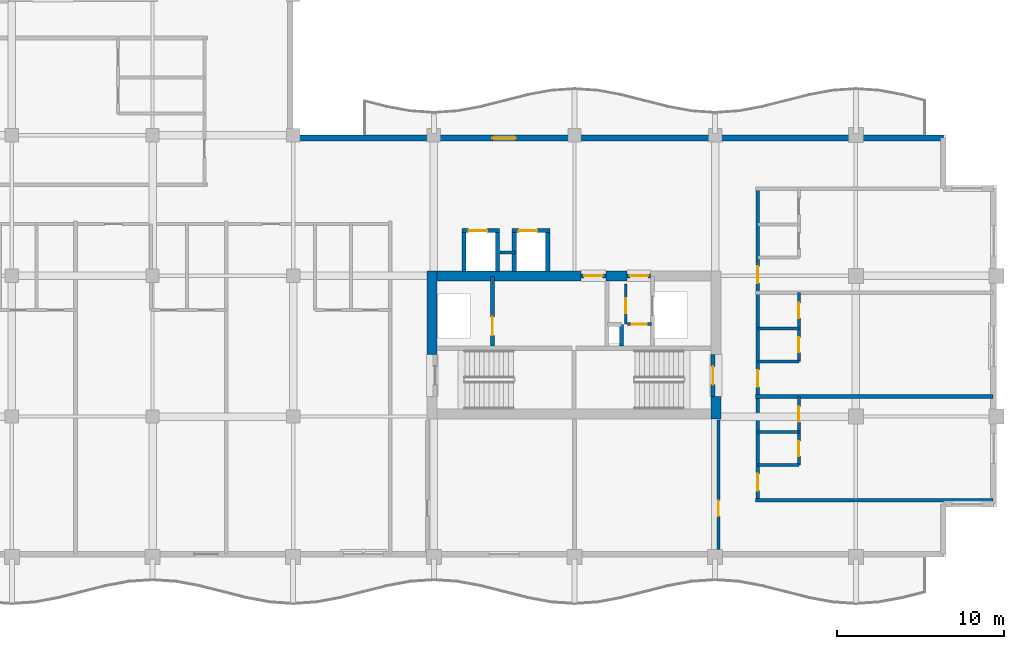
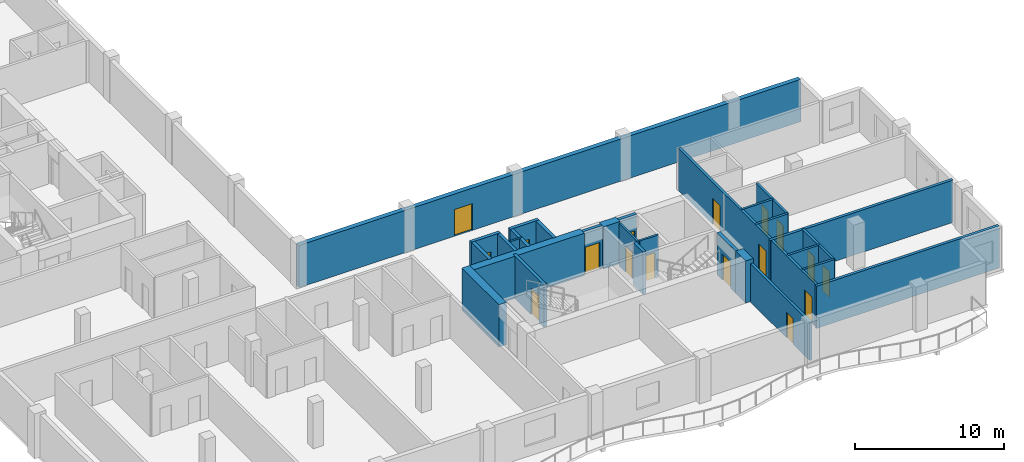
# One storey, part 7 of 17: 29 walls, 17 doors, 17 openings.
"""IFC4 building model written with IfcOpenShell, lengths in metres."""

import ifcopenshell
import ifcopenshell.guid

model = None  # the IFC model being written
_history = None  # IfcOwnerHistory: only IFC2X3 demands one
_inside = {}  # id of a spatial element -> (the spatial element, [elements in it])
_under = {}  # id of a project, library or spatial element -> (it, [spatial elements below it])
_declared = {}  # id of a project -> (the project, [libraries it declares])
_typed = {}  # id of a type object -> (the type object, [elements of that type])
_made_of = {}  # id of a material, layer set ... -> (it, [elements and type objects made of it])


def new_model(schema):
    """Start an empty IFC model of exactly this schema.

    Asked for "IFC4X3", IfcOpenShell would pick the latest addendum, in which some entities
    have other attributes; the version numbers below select the first issue.
    IFC2X3 requires an IfcOwnerHistory on every rooted entity: one is made here for all.
    """
    global model, _history
    if schema == "IFC4X3":
        model = ifcopenshell.file(schema_version=(4, 3, 0, 0))
    else:
        model = ifcopenshell.file(schema=schema)
    _inside.clear()
    _under.clear()
    _declared.clear()
    _typed.clear()
    _made_of.clear()
    _history = None
    if model.schema == "IFC2X3":
        org = make("IfcOrganization", Name="unknown")
        user = make(
            "IfcPersonAndOrganization",
            ThePerson=make("IfcPerson", FamilyName="unknown"),
            TheOrganization=org,
        )
        app = make(
            "IfcApplication",
            ApplicationDeveloper=org,
            Version="unknown",
            ApplicationFullName="unknown",
            ApplicationIdentifier="unknown",
        )
        _history = make(
            "IfcOwnerHistory",
            OwningUser=user,
            OwningApplication=app,
            ChangeAction="ADDED",
            CreationDate=0,
        )
    return model


def make(cls, **values):
    """One entity of the class cls with the attributes given. An attribute that is None is left unset."""
    return model.create_entity(
        cls, **{name: value for name, value in values.items() if value is not None}
    )


def rooted(cls, **values):
    """An entity with a GlobalId (a new one), such as an element, a storey or a relation."""
    return make(cls, GlobalId=ifcopenshell.guid.new(), OwnerHistory=_history, **values)


def si_unit(unit_type, name, prefix=None):
    """IfcSIUnit, for example si_unit("LENGTHUNIT", "METRE", prefix="MILLI")."""
    return make("IfcSIUnit", UnitType=unit_type, Prefix=prefix, Name=name)


def assignment(units):
    """IfcUnitAssignment: the units of a project."""
    return None if units is None else make("IfcUnitAssignment", Units=units)


def point(xyz):
    """IfcCartesianPoint."""
    return None if xyz is None else make("IfcCartesianPoint", Coordinates=xyz)


def direction(xyz):
    """IfcDirection."""
    return None if xyz is None else make("IfcDirection", DirectionRatios=xyz)


def frame(location, z_axis=None, x_axis=None):
    """IfcAxis2Placement3D, a coordinate frame: its origin and axes. An axis left out is left unset."""
    return make(
        "IfcAxis2Placement3D",
        Location=point(location),
        Axis=direction(z_axis),
        RefDirection=direction(x_axis),
    )


def frame_2d(location, x_axis=None):
    """IfcAxis2Placement2D, a coordinate frame in the plane: its origin and x axis."""
    return make(
        "IfcAxis2Placement2D", Location=point(location), RefDirection=direction(x_axis)
    )


def origin():
    """The frame at (0, 0, 0) with its axes left unset."""
    return frame((0.0, 0.0, 0.0))


def place(relative_to, where):
    """IfcLocalPlacement: puts the frame where relative to a parent placement (None: the world)."""
    return make(
        "IfcLocalPlacement", PlacementRelTo=relative_to, RelativePlacement=where
    )


def context(
    kind, dimensions, precision=None, world=None, true_north=None, identifier=None
):
    """IfcGeometricRepresentationContext, for example the 3D "Model" context."""
    return make(
        "IfcGeometricRepresentationContext",
        ContextIdentifier=identifier,
        ContextType=kind,
        CoordinateSpaceDimension=dimensions,
        Precision=precision,
        WorldCoordinateSystem=world,
        TrueNorth=true_north,
    )


def subcontext(parent, identifier, kind, view, scale=None):
    """IfcGeometricRepresentationSubContext, for example "Body" below "Model"."""
    return make(
        "IfcGeometricRepresentationSubContext",
        ContextIdentifier=identifier,
        ContextType=kind,
        ParentContext=parent,
        TargetScale=scale,
        TargetView=view,
    )


def project(units=None, contexts=None):
    """IfcProject with its units and contexts."""
    return rooted(
        "IfcProject",
        Name="project",
        RepresentationContexts=contexts,
        UnitsInContext=assignment(units),
    )


def spatial(cls, under=None, at=None, **own):
    """A site, building, storey or space (cls), placed at a placement, below another one or the project."""
    s = rooted(cls, ObjectPlacement=at, **own)
    if under is not None:
        _under.setdefault(under.id(), (under, []))[1].append(s)
    return s


def profile(cls, at=None, kind="AREA", **sizes):
    """A parametric profile (cls). Its sizes go by their IFC names, for example OverallWidth=200.0."""
    return make(cls, ProfileType=kind, Position=at, **sizes)


def rectangle(**sizes):
    """IfcRectangleProfileDef."""
    return profile("IfcRectangleProfileDef", **sizes)


def extrude(swept, where, along, depth):
    """IfcExtrudedAreaSolid: the profile swept, set in the frame where, extruded along a direction by depth."""
    return make(
        "IfcExtrudedAreaSolid",
        SweptArea=swept,
        Position=where,
        ExtrudedDirection=direction(along),
        Depth=depth,
    )


def shape(context_of_items, identifier, shape_type, items):
    """IfcShapeRepresentation: the items that make up one representation, for example the "Body"."""
    return make(
        "IfcShapeRepresentation",
        ContextOfItems=context_of_items,
        RepresentationIdentifier=identifier,
        RepresentationType=shape_type,
        Items=items,
    )


def material(Name=None, Category=None):
    """IfcMaterial."""
    return make("IfcMaterial", Name=Name, Category=Category)


def layer(
    of_material, thickness, ventilated=None, Name=None, Category=None, Priority=None
):
    """IfcMaterialLayer: one layer of a wall or slab, of a material (None: an air gap)."""
    return make(
        "IfcMaterialLayer",
        Material=of_material,
        LayerThickness=thickness,
        IsVentilated=ventilated,
        Name=Name,
        Category=Category,
        Priority=Priority,
    )


def layer_set(layers, Name=None):
    """IfcMaterialLayerSet."""
    return make("IfcMaterialLayerSet", MaterialLayers=layers, LayerSetName=Name)


def made_of(thing, what):
    """Note that an element or type object is made of a material, layer set ...; save() writes the relation."""
    if what is not None:
        _made_of.setdefault(what.id(), (what, []))[1].append(thing)
    return thing


def type_object(cls, material=None, **own):
    """A type object (cls), such as IfcWallType, which elements share."""
    return made_of(rooted(cls, **own), material)


def element(
    cls,
    number,
    at=None,
    inside=None,
    cuts=None,
    type_object=None,
    material=None,
    context=None,
    identifier="Body",
    shape_type=None,
    held_by="IfcProductDefinitionShape",
    body=None,
    shapes=None,
    **own,
):
    """One element of the class cls, such as IfcWall. Its Tag is "e" and its number.

    at: its placement. inside: the storey or other place that contains it. cuts: it is an
    opening in that element (IfcRelVoidsElement). A single representation is given by context,
    identifier, shape_type and body (its items); several are given by shapes. held_by: the class
    of the entity that holds the representations. save() writes the other relations.
    """
    e = rooted(cls, Tag="e%d" % number, ObjectPlacement=at, **own)
    if body is not None:
        shapes = [shape(context, identifier, shape_type, body)]
    if shapes is not None:
        e.Representation = make(held_by, Representations=shapes)
    if inside is not None:
        _inside.setdefault(inside.id(), (inside, []))[1].append(e)
    if cuts is not None:
        rooted(
            "IfcRelVoidsElement", RelatingBuildingElement=cuts, RelatedOpeningElement=e
        )
    if type_object is not None:
        _typed.setdefault(type_object.id(), (type_object, []))[1].append(e)
    return made_of(e, material)


def fill(opening, filler):
    """IfcRelFillsElement: the door or window that sits in an opening."""
    return rooted(
        "IfcRelFillsElement",
        RelatingOpeningElement=opening,
        RelatedBuildingElement=filler,
    )


def aggregate(whole, parts):
    """IfcRelAggregates: a whole, such as a stair, and the parts it consists of."""
    return rooted("IfcRelAggregates", RelatingObject=whole, RelatedObjects=parts)


def save(model, path):
    """Write the relations noted so far, then the file.

    IfcRelAggregates (storeys below a building ...), IfcRelContainedInSpatialStructure (elements
    in a storey), IfcRelDefinesByType, IfcRelAssociatesMaterial and IfcRelDeclares: one each for
    every whole, place, type object, material and project.
    """
    for whole, parts in _under.values():
        aggregate(whole, parts)
    for where, things in _inside.values():
        rooted(
            "IfcRelContainedInSpatialStructure",
            RelatedElements=things,
            RelatingStructure=where,
        )
    for kind, things in _typed.values():
        rooted("IfcRelDefinesByType", RelatedObjects=things, RelatingType=kind)
    for what, things in _made_of.values():
        rooted("IfcRelAssociatesMaterial", RelatedObjects=things, RelatingMaterial=what)
    for by, libraries in _declared.values():
        rooted("IfcRelDeclares", RelatingContext=by, RelatedDefinitions=libraries)
    model.write(path)


model = new_model("IFC4")

# Units and contexts
model_context = context("Model", 3, precision=1e-05, world=origin(), true_north=direction((0.0, 1.0)))
body_context = subcontext(model_context, "Body", "Model", "MODEL_VIEW")
ifc_project = project(units=[si_unit("LENGTHUNIT", "METRE"), si_unit("AREAUNIT", "SQUARE_METRE"), si_unit("VOLUMEUNIT", "CUBIC_METRE"), si_unit("PLANEANGLEUNIT", "RADIAN"), si_unit("MASSUNIT", "GRAM", prefix="KILO")], contexts=[model_context])

# Site, building, storey
site_placement = place(None, origin())
site = spatial("IfcSite", under=ifc_project, at=site_placement, CompositionType="ELEMENT")
building_placement = place(site_placement, origin())
building = spatial("IfcBuilding", under=site, at=building_placement, Name="Koriwani Terraces Tower", CompositionType="ELEMENT")
storey_placement = place(building_placement, frame((0.0, 0.0, 237.89990234375)))
storey = spatial("IfcBuildingStorey", under=building, at=storey_placement, Name="L58", CompositionType="ELEMENT", Elevation=237.89990234375)

# Walls
ifc_material_1 = material(Name="Concrete C60/75", Category="concrete")
ifc_layer_1 = layer(ifc_material_1, 0.60009765625, Name="Concrete C60/75")
ifc_layer_set_1 = layer_set([ifc_layer_1], Name="Concrete C60/75")
wall_type_1 = type_object("IfcWallType", Name="WALL_CORE_RC_600", PredefinedType="SHEAR", material=ifc_layer_set_1)
wall_1_placement = place(storey_placement, frame((41.89990234375, 20.5, 0.0), z_axis=(0.0, 0.0, 1.0), x_axis=(0.0, 1.0, 0.0)))
element("IfcWall", 1, at=wall_1_placement, inside=storey, type_object=wall_type_1, Name="L58 East Split Core Shear Wall W2", PredefinedType="SHEAR", context=body_context, shape_type="SweptSolid", body=[
    extrude(rectangle(XDim=5.0, YDim=0.60009765625, at=frame_2d((2.5, 0.0))), origin(), (0.0, 0.0, 1.0), 3.47021484375),
])
wall_2_placement = place(storey_placement, frame((58.85009765625, 16.64990234375, 0.0), z_axis=(0.0, 0.0, 1.0), x_axis=(0.0, 1.0, 0.0)))
element("IfcWall", 2, at=wall_2_placement, inside=storey, type_object=wall_type_1, Name="L58 East Split Core Shear Wall E1", PredefinedType="SHEAR", context=body_context, shape_type="SweptSolid", body=[
    extrude(rectangle(XDim=1.35009765625, YDim=0.60009765625, at=frame_2d((0.675048828125, 0.0))), origin(), (0.0, 0.0, 1.0), 3.47021484375),
])
wall_3_placement = place(storey_placement, frame((42.199951171875, 25.199951171875, 0.0), z_axis=(0.0, 0.0, 1.0), x_axis=(1.0, 0.0, 0.0)))
element("IfcWall", 3, at=wall_3_placement, inside=storey, type_object=wall_type_1, Name="L58 East Split Core Shear Wall N1", PredefinedType="SHEAR", context=body_context, shape_type="SweptSolid", body=[
    extrude(rectangle(XDim=8.60009765625, YDim=0.60009765625, at=frame_2d((4.300048828125, 0.0))), origin(), (0.0, 0.0, 1.0), 3.47021484375),
])
wall_4_placement = place(storey_placement, frame((52.280029296875, 25.199951171875, 0.0), z_axis=(0.0, 0.0, 1.0), x_axis=(1.0, 0.0, 0.0)))
element("IfcWall", 4, at=wall_4_placement, inside=storey, type_object=wall_type_1, Name="L58 East Split Core Shear Wall N2", PredefinedType="SHEAR", context=body_context, shape_type="SweptSolid", body=[
    extrude(rectangle(XDim=1.27001953125, YDim=0.60009765625, at=frame_2d((0.635009765625, 0.0))), origin(), (0.0, 0.0, 1.0), 3.47021484375),
])

# Wall, opening, door
ifc_material_2 = material(Name="Autoclaved Cellular Concrete Blockwork", Category="masonry")
ifc_layer_2 = layer(ifc_material_2, 0.199951171875, Name="Autoclaved Cellular Concrete Blockwork")
ifc_layer_set_2 = layer_set([ifc_layer_2], Name="Autoclaved Cellular Concrete Blockwork")
wall_type_2 = type_object("IfcWallType", Name="WALL_CORRIDOR_200", PredefinedType="PARTITIONING", material=ifc_layer_set_2)
wall_5_placement = place(storey_placement, frame((59.0, 8.64990234375, 0.0), z_axis=(0.0, 0.0, 1.0), x_axis=(0.0, 1.0, 0.0)))
wall_5 = element("IfcWall", 5, at=wall_5_placement, inside=storey, type_object=wall_type_2, Name="L58 Interior Wall WRZ4-EE-L58", PredefinedType="PARTITIONING", context=body_context, shape_type="SweptSolid", body=[
    extrude(rectangle(XDim=7.9501953125, YDim=0.199951171875, at=frame_2d((3.97509765625, 0.0))), origin(), (0.0, 0.0, 1.0), 3.16015625),
])
opening_1_placement = place(wall_5_placement, frame((2.199951171875, 0.0, 0.0)))
opening_1 = element("IfcOpeningElement", 6, at=opening_1_placement, cuts=wall_5, Name="Opening D-06", PredefinedType="OPENING", context=body_context, shape_type="SweptSolid", body=[
    extrude(rectangle(XDim=0.919921875, YDim=2.10009765625, at=frame_2d((0.4599609375, 1.050048828125))), frame((0.0, 0.10986328125, 0.0), z_axis=(0.0, -1.0, 0.0), x_axis=(1.0, 0.0, 0.0)), (0.0, 0.0, 1.0), 0.219970703125),
])
ifc_material_3 = material(Name="Architectural Oak Fire Door", Category="wood")
door_type_1 = type_object("IfcDoorType", Name="DOOR_ROOM_INT_920X2100", OperationType="NOTDEFINED", PredefinedType="DOOR", material=ifc_material_3)
door_1_placement = place(opening_1_placement, origin())
door_1 = element("IfcDoor", 7, at=door_1_placement, inside=storey, type_object=door_type_1, Name="L58 Resident Laundry Room Door", OperationType="SINGLE_SWING_LEFT", OverallHeight=2.10009765625, OverallWidth=0.919921875, PredefinedType="DOOR", context=body_context, shape_type="SweptSolid", body=[
    extrude(rectangle(XDim=0.919921875, YDim=2.10009765625, at=frame_2d((0.4599609375, 1.050048828125))), frame((0.0, 0.02490234375, 0.0), z_axis=(0.0, -1.0, 0.0), x_axis=(1.0, 0.0, 0.0)), (0.0, 0.0, 1.0), 0.050048828125),
])
fill(opening_1, door_1)

# Wall, openings, doors
wall_6_placement = place(storey_placement, frame((61.35009765625, 11.800048828125, 0.0), z_axis=(0.0, 0.0, 1.0), x_axis=(0.0, 1.0, 0.0)))
wall_6 = element("IfcWall", 8, at=wall_6_placement, inside=storey, type_object=wall_type_2, Name="L58 Interior Wall WRCOR-L58-ETE-0", PredefinedType="PARTITIONING", context=body_context, shape_type="SweptSolid", body=[
    extrude(rectangle(XDim=18.599853515625, YDim=0.199951171875, at=frame_2d((9.2998046875, 0.0))), origin(), (0.0, 0.0, 1.0), 3.47021484375),
])
opening_2_placement = place(wall_6_placement, frame((0.570068359375, 0.0, 0.0)))
opening_2 = element("IfcOpeningElement", 9, at=opening_2_placement, cuts=wall_6, Name="Opening D-05", PredefinedType="OPENING", context=body_context, shape_type="SweptSolid", body=[
    extrude(rectangle(XDim=1.0, YDim=2.14990234375, at=frame_2d((0.5, 1.074951171875))), frame((0.0, 0.10986328125, 0.0), z_axis=(0.0, -1.0, 0.0), x_axis=(1.0, 0.0, 0.0)), (0.0, 0.0, 1.0), 0.219970703125),
])
opening_3_placement = place(wall_6_placement, frame((6.77001953125, 0.0, 0.0)))
opening_3 = element("IfcOpeningElement", 10, at=opening_3_placement, cuts=wall_6, Name="Opening D-05", PredefinedType="OPENING", context=body_context, shape_type="SweptSolid", body=[
    extrude(rectangle(XDim=1.0, YDim=2.14990234375, at=frame_2d((0.5, 1.074951171875))), frame((0.0, 0.10986328125, 0.0), z_axis=(0.0, -1.0, 0.0), x_axis=(1.0, 0.0, 0.0)), (0.0, 0.0, 1.0), 0.219970703125),
])
opening_4_placement = place(wall_6_placement, frame((12.969970703125, 0.0, 0.0)))
opening_4 = element("IfcOpeningElement", 11, at=opening_4_placement, cuts=wall_6, Name="Opening D-05", PredefinedType="OPENING", context=body_context, shape_type="SweptSolid", body=[
    extrude(rectangle(XDim=1.0, YDim=2.14990234375, at=frame_2d((0.5, 1.074951171875))), frame((0.0, 0.10986328125, 0.0), z_axis=(0.0, -1.0, 0.0), x_axis=(1.0, 0.0, 0.0)), (0.0, 0.0, 1.0), 0.219970703125),
])
door_type_2 = type_object("IfcDoorType", Name="DOOR_SUITE_ENTRY_1000X2150", OperationType="NOTDEFINED", PredefinedType="DOOR", material=ifc_material_3)
door_2_placement = place(opening_2_placement, origin())
door_2 = element("IfcDoor", 12, at=door_2_placement, inside=storey, type_object=door_type_2, Name="Apartment 58ETE1 Entrance Door", OperationType="SINGLE_SWING_RIGHT", OverallHeight=2.14990234375, OverallWidth=1.0, PredefinedType="DOOR", context=body_context, shape_type="SweptSolid", body=[
    extrude(rectangle(XDim=1.0, YDim=2.14990234375, at=frame_2d((0.5, 1.074951171875))), frame((0.0, 0.02490234375, 0.0), z_axis=(0.0, -1.0, 0.0), x_axis=(1.0, 0.0, 0.0)), (0.0, 0.0, 1.0), 0.050048828125),
])
fill(opening_2, door_2)
door_3_placement = place(opening_3_placement, origin())
door_3 = element("IfcDoor", 13, at=door_3_placement, inside=storey, type_object=door_type_2, Name="Apartment 58ETE2 Entrance Door", OperationType="SINGLE_SWING_LEFT", OverallHeight=2.14990234375, OverallWidth=1.0, PredefinedType="DOOR", context=body_context, shape_type="SweptSolid", body=[
    extrude(rectangle(XDim=1.0, YDim=2.14990234375, at=frame_2d((0.5, 1.074951171875))), frame((0.0, 0.02490234375, 0.0), z_axis=(0.0, -1.0, 0.0), x_axis=(1.0, 0.0, 0.0)), (0.0, 0.0, 1.0), 0.050048828125),
])
fill(opening_3, door_3)
door_4_placement = place(opening_4_placement, origin())
door_4 = element("IfcDoor", 14, at=door_4_placement, inside=storey, type_object=door_type_2, Name="Apartment 58ETE3 Entrance Door", OperationType="SINGLE_SWING_RIGHT", OverallHeight=2.14990234375, OverallWidth=1.0, PredefinedType="DOOR", context=body_context, shape_type="SweptSolid", body=[
    extrude(rectangle(XDim=1.0, YDim=2.14990234375, at=frame_2d((0.5, 1.074951171875))), frame((0.0, 0.02490234375, 0.0), z_axis=(0.0, -1.0, 0.0), x_axis=(1.0, 0.0, 0.0)), (0.0, 0.0, 1.0), 0.050048828125),
])
fill(opening_4, door_4)

# Walls
ifc_layer_3 = layer(ifc_material_2, 0.219970703125, Name="Autoclaved Cellular Concrete Blockwork")
ifc_layer_set_3 = layer_set([ifc_layer_3], Name="Autoclaved Cellular Concrete Blockwork")
wall_type_3 = type_object("IfcWallType", Name="WALL_DEMISING_220", PredefinedType="PARTITIONING", material=ifc_layer_set_3)
for number, where, z_axis, x_axis, name in (
    (15, (61.199951171875, 11.800048828125, 0.0), (0.0, 0.0, 1.0), (1.0, 0.0, 0.0), "L58 Interior Wall WRDEM-L58-ETE-0"),
    (16, (61.199951171875, 18.0, 0.0), (0.0, 0.0, 1.0), (1.0, 0.0, 0.0), "L58 Interior Wall WRDEM-L58-ETE-1"),
):
    element("IfcWall", number, at=place(storey_placement, frame(where, z_axis=z_axis, x_axis=x_axis)), inside=storey, type_object=wall_type_3, Name=name, PredefinedType="PARTITIONING", context=body_context, shape_type="SweptSolid", body=[
        extrude(rectangle(XDim=14.199951171875, YDim=0.219970703125, at=frame_2d((7.10009765625, 0.0))), origin(), (0.0, 0.0, 1.0), 3.47021484375),
    ])

# Wall, opening, door
ifc_material_4 = material(Name="Concrete C50/60", Category="concrete")
ifc_layer_4 = layer(ifc_material_4, 0.35009765625, Name="Concrete C50/60")
ifc_layer_set_4 = layer_set([ifc_layer_4], Name="Concrete C50/60")
wall_type_4 = type_object("IfcWallType", Name="WALL_EXT_BRUTALIST_350", PredefinedType="STANDARD", material=ifc_layer_set_4)
wall_7_placement = place(storey_placement, frame((33.425048828125, 33.425048828125, 0.0), z_axis=(0.0, 0.0, 1.0), x_axis=(1.0, 0.0, 0.0)))
wall_7 = element("IfcWall", 17, at=wall_7_placement, inside=storey, type_object=wall_type_4, Name="L58 Fair-Faced Brutalist Exterior Wall (NE)", PredefinedType="STANDARD", context=body_context, shape_type="SweptSolid", body=[
    extrude(rectangle(XDim=39.0, YDim=0.35009765625, at=frame_2d((19.5, 0.0))), origin(), (0.0, 0.0, 1.0), 3.47021484375),
])
opening_5_placement = place(wall_7_placement, frame((12.074951171875, 0.0, 0.0)))
opening_5 = element("IfcOpeningElement", 18, at=opening_5_placement, cuts=wall_7, Name="Opening D-09", PredefinedType="OPENING", context=body_context, shape_type="SweptSolid", body=[
    extrude(rectangle(XDim=1.39990234375, YDim=2.199951171875, at=frame_2d((0.699951171875, 1.10009765625))), frame((0.0, 0.18505859375, 0.0), z_axis=(0.0, -1.0, 0.0), x_axis=(1.0, 0.0, 0.0)), (0.0, 0.0, 1.0), 0.3701171875),
])
ifc_material_5 = material(Name="Anodised Bronze Aluminium", Category="aluminium")
door_type_3 = type_object("IfcDoorType", Name="DOOR_BALCONY_GLAZED_1400X2200", OperationType="NOTDEFINED", PredefinedType="DOOR", material=ifc_material_5)
door_5_placement = place(opening_5_placement, origin())
door_5 = element("IfcDoor", 19, at=door_5_placement, inside=storey, type_object=door_type_3, Name="L58 Inner Court Balcony Glazed Door", OperationType="SINGLE_SWING_LEFT", OverallHeight=2.199951171875, OverallWidth=1.39990234375, PredefinedType="DOOR", context=body_context, shape_type="SweptSolid", body=[
    extrude(rectangle(XDim=1.39990234375, YDim=2.199951171875, at=frame_2d((0.699951171875, 1.10009765625))), frame((0.0, 0.02490234375, 0.0), z_axis=(0.0, -1.0, 0.0), x_axis=(1.0, 0.0, 0.0)), (0.0, 0.0, 1.0), 0.050048828125),
])
fill(opening_5, door_5)

# Wall, openings, doors
ifc_material_6 = material(Name="Fire-Rated Acoustic Gypsum Partition", Category="masonry")
ifc_layer_5 = layer(ifc_material_6, 0.179931640625, Name="Fire-Rated Acoustic Gypsum Partition")
ifc_layer_set_5 = layer_set([ifc_layer_5], Name="Fire-Rated Acoustic Gypsum Partition")
wall_type_5 = type_object("IfcWallType", Name="WALL_PLUMBING_180", PredefinedType="PLUMBINGWALL", material=ifc_layer_set_5)
wall_8_placement = place(storey_placement, frame((63.800048828125, 13.89990234375, 0.0), z_axis=(0.0, 0.0, 1.0), x_axis=(0.0, 1.0, 0.0)))
wall_8 = element("IfcWall", 20, at=wall_8_placement, inside=storey, type_object=wall_type_5, Name="L58 Interior Wall WRSVC-L58-ETE-0", PredefinedType="PLUMBINGWALL", context=body_context, shape_type="SweptSolid", body=[
    extrude(rectangle(XDim=4.10009765625, YDim=0.179931640625, at=frame_2d((2.050048828125, 0.0))), origin(), (0.0, 0.0, 1.0), 3.47021484375),
])
opening_6_placement = place(wall_8_placement, frame((0.533935546875, 0.0, 0.0)))
opening_6 = element("IfcOpeningElement", 21, at=opening_6_placement, cuts=wall_8, Name="Opening D-07", PredefinedType="OPENING", context=body_context, shape_type="SweptSolid", body=[
    extrude(rectangle(XDim=0.89990234375, YDim=2.10009765625, at=frame_2d((0.449951171875, 1.050048828125))), frame((0.0, 0.10009765625, 0.0), z_axis=(0.0, -1.0, 0.0), x_axis=(1.0, 0.0, 0.0)), (0.0, 0.0, 1.0), 0.199951171875),
])
opening_7_placement = place(wall_8_placement, frame((2.573974609375, 0.0, 0.0)))
opening_7 = element("IfcOpeningElement", 22, at=opening_7_placement, cuts=wall_8, Name="Opening D-06", PredefinedType="OPENING", context=body_context, shape_type="SweptSolid", body=[
    extrude(rectangle(XDim=0.919921875, YDim=2.10009765625, at=frame_2d((0.4599609375, 1.050048828125))), frame((0.0, 0.10009765625, 0.0), z_axis=(0.0, -1.0, 0.0), x_axis=(1.0, 0.0, 0.0)), (0.0, 0.0, 1.0), 0.199951171875),
])
door_type_4 = type_object("IfcDoorType", Name="DOOR_BATH_INT_900X2100", OperationType="NOTDEFINED", PredefinedType="DOOR", material=ifc_material_3)
door_6_placement = place(opening_6_placement, origin())
door_6 = element("IfcDoor", 23, at=door_6_placement, inside=storey, type_object=door_type_4, Name="Apartment 58ETE1 Bathroom Door", OperationType="SINGLE_SWING_LEFT", OverallHeight=2.10009765625, OverallWidth=0.89990234375, PredefinedType="DOOR", context=body_context, shape_type="SweptSolid", body=[
    extrude(rectangle(XDim=0.89990234375, YDim=2.10009765625, at=frame_2d((0.449951171875, 1.050048828125))), frame((0.0, 0.02490234375, 0.0), z_axis=(0.0, -1.0, 0.0), x_axis=(1.0, 0.0, 0.0)), (0.0, 0.0, 1.0), 0.050048828125),
])
fill(opening_6, door_6)
door_7_placement = place(opening_7_placement, origin())
door_7 = element("IfcDoor", 24, at=door_7_placement, inside=storey, type_object=door_type_1, Name="Apartment 58ETE1 Kitchen Door", OperationType="SINGLE_SWING_RIGHT", OverallHeight=2.10009765625, OverallWidth=0.919921875, PredefinedType="DOOR", context=body_context, shape_type="SweptSolid", body=[
    extrude(rectangle(XDim=0.919921875, YDim=2.10009765625, at=frame_2d((0.4599609375, 1.050048828125))), frame((0.0, 0.02490234375, 0.0), z_axis=(0.0, -1.0, 0.0), x_axis=(1.0, 0.0, 0.0)), (0.0, 0.0, 1.0), 0.050048828125),
])
fill(opening_7, door_7)

# Walls
for number, where, z_axis, x_axis, name in (
    (25, (61.35009765625, 13.89990234375, 0.0), (0.0, 0.0, 1.0), (1.0, 0.0, 0.0), "L58 Interior Wall WRSVCS-L58-ETE-0"),
    (26, (61.35009765625, 15.867919921875, 0.0), (0.0, 0.0, 1.0), (1.0, 0.0, 0.0), "L58 Interior Wall WRSVCM-L58-ETE-0"),
):
    element("IfcWall", number, at=place(storey_placement, frame(where, z_axis=z_axis, x_axis=x_axis)), inside=storey, type_object=wall_type_5, Name=name, PredefinedType="PLUMBINGWALL", context=body_context, shape_type="SweptSolid", body=[
        extrude(rectangle(XDim=2.449951171875, YDim=0.179931640625, at=frame_2d((1.22509765625, 0.0))), origin(), (0.0, 0.0, 1.0), 3.47021484375),
    ])

# Wall, openings, doors
wall_9_placement = place(storey_placement, frame((63.800048828125, 20.10009765625, 0.0), z_axis=(0.0, 0.0, 1.0), x_axis=(0.0, 1.0, 0.0)))
wall_9 = element("IfcWall", 27, at=wall_9_placement, inside=storey, type_object=wall_type_5, Name="L58 Interior Wall WRSVC-L58-ETE-1", PredefinedType="PLUMBINGWALL", context=body_context, shape_type="SweptSolid", body=[
    extrude(rectangle(XDim=4.099853515625, YDim=0.179931640625, at=frame_2d((2.0498046875, 0.0))), origin(), (0.0, 0.0, 1.0), 3.47021484375),
])
opening_8_placement = place(wall_9_placement, frame((0.533935546875, 0.0, 0.0)))
opening_8 = element("IfcOpeningElement", 28, at=opening_8_placement, cuts=wall_9, Name="Opening D-07", PredefinedType="OPENING", context=body_context, shape_type="SweptSolid", body=[
    extrude(rectangle(XDim=0.89990234375, YDim=2.10009765625, at=frame_2d((0.449951171875, 1.050048828125))), frame((0.0, 0.10009765625, 0.0), z_axis=(0.0, -1.0, 0.0), x_axis=(1.0, 0.0, 0.0)), (0.0, 0.0, 1.0), 0.199951171875),
])
opening_9_placement = place(wall_9_placement, frame((2.573974609375, 0.0, 0.0)))
opening_9 = element("IfcOpeningElement", 29, at=opening_9_placement, cuts=wall_9, Name="Opening D-06", PredefinedType="OPENING", context=body_context, shape_type="SweptSolid", body=[
    extrude(rectangle(XDim=0.919921875, YDim=2.10009765625, at=frame_2d((0.4599609375, 1.050048828125))), frame((0.0, 0.10009765625, 0.0), z_axis=(0.0, -1.0, 0.0), x_axis=(1.0, 0.0, 0.0)), (0.0, 0.0, 1.0), 0.199951171875),
])
door_8_placement = place(opening_8_placement, origin())
door_8 = element("IfcDoor", 30, at=door_8_placement, inside=storey, type_object=door_type_4, Name="Apartment 58ETE2 Bathroom Door", OperationType="SINGLE_SWING_RIGHT", OverallHeight=2.10009765625, OverallWidth=0.89990234375, PredefinedType="DOOR", context=body_context, shape_type="SweptSolid", body=[
    extrude(rectangle(XDim=0.89990234375, YDim=2.10009765625, at=frame_2d((0.449951171875, 1.050048828125))), frame((0.0, 0.02490234375, 0.0), z_axis=(0.0, -1.0, 0.0), x_axis=(1.0, 0.0, 0.0)), (0.0, 0.0, 1.0), 0.050048828125),
])
fill(opening_8, door_8)
door_9_placement = place(opening_9_placement, origin())
door_9 = element("IfcDoor", 31, at=door_9_placement, inside=storey, type_object=door_type_1, Name="Apartment 58ETE2 Kitchen Door", OperationType="SINGLE_SWING_LEFT", OverallHeight=2.10009765625, OverallWidth=0.919921875, PredefinedType="DOOR", context=body_context, shape_type="SweptSolid", body=[
    extrude(rectangle(XDim=0.919921875, YDim=2.10009765625, at=frame_2d((0.4599609375, 1.050048828125))), frame((0.0, 0.02490234375, 0.0), z_axis=(0.0, -1.0, 0.0), x_axis=(1.0, 0.0, 0.0)), (0.0, 0.0, 1.0), 0.050048828125),
])
fill(opening_9, door_9)

# Walls
for number, where, z_axis, x_axis, name in (
    (32, (61.35009765625, 20.10009765625, 0.0), (0.0, 0.0, 1.0), (1.0, 0.0, 0.0), "L58 Interior Wall WRSVCS-L58-ETE-1"),
    (33, (61.35009765625, 22.068115234375, 0.0), (0.0, 0.0, 1.0), (1.0, 0.0, 0.0), "L58 Interior Wall WRSVCM-L58-ETE-1"),
):
    element("IfcWall", number, at=place(storey_placement, frame(where, z_axis=z_axis, x_axis=x_axis)), inside=storey, type_object=wall_type_5, Name=name, PredefinedType="PLUMBINGWALL", context=body_context, shape_type="SweptSolid", body=[
        extrude(rectangle(XDim=2.449951171875, YDim=0.179931640625, at=frame_2d((1.22509765625, 0.0))), origin(), (0.0, 0.0, 1.0), 3.47021484375),
    ])

# Wall, opening, door
ifc_material_7 = material(Name="Concrete C40/50", Category="concrete")
ifc_layer_6 = layer(ifc_material_7, 0.25, Name="Concrete C40/50")
ifc_layer_set_6 = layer_set([ifc_layer_6], Name="Concrete C40/50")
wall_type_6 = type_object("IfcWallType", Name="WALL_SHAFT_RATED_250", PredefinedType="SOLIDWALL", material=ifc_layer_set_6)
wall_10_placement = place(storey_placement, frame((58.675048828125, 18.0, 0.0), z_axis=(0.0, 0.0, 1.0), x_axis=(0.0, 1.0, 0.0)))
wall_10 = element("IfcWall", 34, at=wall_10_placement, inside=storey, type_object=wall_type_6, Name="L58 Interior Wall WIN-CE-L58-STE", PredefinedType="SOLIDWALL", context=body_context, shape_type="SweptSolid", body=[
    extrude(rectangle(XDim=2.5, YDim=0.25, at=frame_2d((1.25, 0.0))), origin(), (0.0, 0.0, 1.0), 3.47021484375),
])
opening_10_placement = place(wall_10_placement, frame((0.699951171875, 0.0, 0.0)))
opening_10 = element("IfcOpeningElement", 35, at=opening_10_placement, cuts=wall_10, Name="Opening D-03", PredefinedType="OPENING", context=body_context, shape_type="SweptSolid", body=[
    extrude(rectangle(XDim=1.10009765625, YDim=2.14990234375, at=frame_2d((0.550048828125, 1.074951171875))), frame((0.0, 0.135009765625, 0.0), z_axis=(0.0, -1.0, 0.0), x_axis=(1.0, 0.0, 0.0)), (0.0, 0.0, 1.0), 0.27001953125),
])
ifc_material_8 = material(Name="Steel ASTM A572 Grade 50", Category="steel")
door_type_5 = type_object("IfcDoorType", Name="DOOR_STAIR_FIRE_1100X2150", OperationType="NOTDEFINED", PredefinedType="DOOR", material=ifc_material_8)
door_10_placement = place(opening_10_placement, origin())
door_10 = element("IfcDoor", 36, at=door_10_placement, inside=storey, type_object=door_type_5, Name="L58 Exit Stair ST-E2 Door", OperationType="SINGLE_SWING_LEFT", OverallHeight=2.14990234375, OverallWidth=1.10009765625, PredefinedType="DOOR", context=body_context, shape_type="SweptSolid", body=[
    extrude(rectangle(XDim=1.10009765625, YDim=2.14990234375, at=frame_2d((0.550048828125, 1.074951171875))), frame((0.0, 0.02490234375, 0.0), z_axis=(0.0, -1.0, 0.0), x_axis=(1.0, 0.0, 0.0)), (0.0, 0.0, 1.0), 0.050048828125),
])
fill(opening_10, door_10)

wall_11_placement = place(storey_placement, frame((45.5, 21.0, 0.0), z_axis=(0.0, 0.0, 1.0), x_axis=(0.0, 1.0, 0.0)))
wall_11 = element("IfcWall", 37, at=wall_11_placement, inside=storey, type_object=wall_type_6, Name="L58 Interior Wall WIN-CE-L58-FE", PredefinedType="SOLIDWALL", context=body_context, shape_type="SweptSolid", body=[
    extrude(rectangle(XDim=4.14990234375, YDim=0.25, at=frame_2d((2.074951171875, 0.0))), origin(), (0.0, 0.0, 1.0), 3.47021484375),
])
opening_11_placement = place(wall_11_placement, frame((0.64990234375, 0.0, 0.0)))
opening_11 = element("IfcOpeningElement", 38, at=opening_11_placement, cuts=wall_11, Name="Opening LD-01", PredefinedType="OPENING", context=body_context, shape_type="SweptSolid", body=[
    extrude(rectangle(XDim=1.10009765625, YDim=2.14990234375, at=frame_2d((0.550048828125, 1.074951171875))), frame((0.0, 0.135009765625, 0.0), z_axis=(0.0, -1.0, 0.0), x_axis=(1.0, 0.0, 0.0)), (0.0, 0.0, 1.0), 0.27001953125),
])
door_type_6 = type_object("IfcDoorType", Name="DOOR_LIFT_LANDING_1100X2200", OperationType="NOTDEFINED", PredefinedType="DOOR", material=ifc_material_8)
door_11_placement = place(opening_11_placement, origin())
door_11 = element("IfcDoor", 39, at=door_11_placement, inside=storey, type_object=door_type_6, Name="L58 Firefighting Lift FE-02 Landing Door", OperationType="SLIDING_TO_LEFT", OverallHeight=2.14990234375, OverallWidth=1.10009765625, PredefinedType="DOOR", context=body_context, shape_type="SweptSolid", body=[
    extrude(rectangle(XDim=1.10009765625, YDim=2.14990234375, at=frame_2d((0.550048828125, 1.074951171875))), frame((0.0, 0.02490234375, 0.0), z_axis=(0.0, -1.0, 0.0), x_axis=(1.0, 0.0, 0.0)), (0.0, 0.0, 1.0), 0.050048828125),
])
fill(opening_11, door_11)

wall_12_placement = place(storey_placement, frame((50.800048828125, 25.199951171875, 0.0), z_axis=(0.0, 0.0, 1.0), x_axis=(1.0, 0.0, 0.0)))
wall_12 = element("IfcWall", 40, at=wall_12_placement, inside=storey, type_object=wall_type_6, Name="L58 Interior Wall WIN-CE-L58-NP", PredefinedType="SOLIDWALL", context=body_context, shape_type="SweptSolid", body=[
    extrude(rectangle(XDim=1.47998046875, YDim=0.25, at=frame_2d((0.739990234375, 0.0))), origin(), (0.0, 0.0, 1.0), 3.47021484375),
])
opening_12_placement = place(wall_12_placement, frame((0.179931640625, 0.0, 0.0)))
opening_12 = element("IfcOpeningElement", 41, at=opening_12_placement, cuts=wall_12, Name="Opening D-03", PredefinedType="OPENING", context=body_context, shape_type="SweptSolid", body=[
    extrude(rectangle(XDim=1.10009765625, YDim=2.14990234375, at=frame_2d((0.550048828125, 1.074951171875))), frame((0.0, 0.135009765625, 0.0), z_axis=(0.0, -1.0, 0.0), x_axis=(1.0, 0.0, 0.0)), (0.0, 0.0, 1.0), 0.27001953125),
])
door_12_placement = place(opening_12_placement, origin())
door_12 = element("IfcDoor", 42, at=door_12_placement, inside=storey, type_object=door_type_5, Name="L58 East Firefighting Lobby Door", OperationType="SINGLE_SWING_RIGHT", OverallHeight=2.14990234375, OverallWidth=1.10009765625, PredefinedType="DOOR", context=body_context, shape_type="SweptSolid", body=[
    extrude(rectangle(XDim=1.10009765625, YDim=2.14990234375, at=frame_2d((0.550048828125, 1.074951171875))), frame((0.0, 0.02490234375, 0.0), z_axis=(0.0, -1.0, 0.0), x_axis=(1.0, 0.0, 0.0)), (0.0, 0.0, 1.0), 0.050048828125),
])
fill(opening_12, door_12)

wall_13_placement = place(storey_placement, frame((53.550048828125, 25.199951171875, 0.0), z_axis=(0.0, 0.0, 1.0), x_axis=(1.0, 0.0, 0.0)))
wall_13 = element("IfcWall", 43, at=wall_13_placement, inside=storey, type_object=wall_type_6, Name="L58 Interior Wall WIN-CE-L58-NP2", PredefinedType="SOLIDWALL", context=body_context, shape_type="SweptSolid", body=[
    extrude(rectangle(XDim=1.39990234375, YDim=0.25, at=frame_2d((0.699951171875, 0.0))), origin(), (0.0, 0.0, 1.0), 3.47021484375),
])
opening_13_placement = place(wall_13_placement, frame((0.14990234375, 0.0, 0.0)))
opening_13 = element("IfcOpeningElement", 44, at=opening_13_placement, cuts=wall_13, Name="Opening D-03", PredefinedType="OPENING", context=body_context, shape_type="SweptSolid", body=[
    extrude(rectangle(XDim=1.10009765625, YDim=2.14990234375, at=frame_2d((0.550048828125, 1.074951171875))), frame((0.0, 0.135009765625, 0.0), z_axis=(0.0, -1.0, 0.0), x_axis=(1.0, 0.0, 0.0)), (0.0, 0.0, 1.0), 0.27001953125),
])
door_13_placement = place(opening_13_placement, origin())
door_13 = element("IfcDoor", 45, at=door_13_placement, inside=storey, type_object=door_type_5, Name="L58 East Goods Lift Lobby Door", OperationType="SINGLE_SWING_LEFT", OverallHeight=2.14990234375, OverallWidth=1.10009765625, PredefinedType="DOOR", context=body_context, shape_type="SweptSolid", body=[
    extrude(rectangle(XDim=1.10009765625, YDim=2.14990234375, at=frame_2d((0.550048828125, 1.074951171875))), frame((0.0, 0.02490234375, 0.0), z_axis=(0.0, -1.0, 0.0), x_axis=(1.0, 0.0, 0.0)), (0.0, 0.0, 1.0), 0.050048828125),
])
fill(opening_13, door_13)

# Wall
wall_14_placement = place(storey_placement, frame((53.199951171875, 21.0, 0.0), z_axis=(0.0, 0.0, 1.0), x_axis=(0.0, 1.0, 0.0)))
element("IfcWall", 46, at=wall_14_placement, inside=storey, type_object=wall_type_6, Name="L58 Interior Wall WIN-CE-L58-RS1", PredefinedType="SOLIDWALL", context=body_context, shape_type="SweptSolid", body=[
    extrude(rectangle(XDim=1.300048828125, YDim=0.25, at=frame_2d((0.64990234375, 0.0))), origin(), (0.0, 0.0, 1.0), 3.47021484375),
])

# Wall, opening, door
wall_15_placement = place(storey_placement, frame((43.675048828125, 27.89990234375, 0.0), z_axis=(0.0, 0.0, 1.0), x_axis=(1.0, 0.0, 0.0)))
wall_15 = element("IfcWall", 47, at=wall_15_placement, inside=storey, type_object=wall_type_6, Name="L58 Interior Wall WIN-LF-PE-H3-L58-F", PredefinedType="SOLIDWALL", context=body_context, shape_type="SweptSolid", body=[
    extrude(rectangle(XDim=2.25, YDim=0.25, at=frame_2d((1.125, 0.0))), origin(), (0.0, 0.0, 1.0), 3.47021484375),
])
opening_14_placement = place(wall_15_placement, frame((0.39990234375, 0.0, 0.0)))
opening_14 = element("IfcOpeningElement", 48, at=opening_14_placement, cuts=wall_15, Name="Opening LD-01", PredefinedType="OPENING", context=body_context, shape_type="SweptSolid", body=[
    extrude(rectangle(XDim=1.10009765625, YDim=2.14990234375, at=frame_2d((0.550048828125, 1.074951171875))), frame((0.0, 0.135009765625, 0.0), z_axis=(0.0, -1.0, 0.0), x_axis=(1.0, 0.0, 0.0)), (0.0, 0.0, 1.0), 0.27001953125),
])
door_14_placement = place(opening_14_placement, origin())
door_14 = element("IfcDoor", 49, at=door_14_placement, inside=storey, type_object=door_type_6, Name="L58 Passenger Lift PE-H3 Landing Door", OperationType="SLIDING_TO_LEFT", OverallHeight=2.14990234375, OverallWidth=1.10009765625, PredefinedType="DOOR", context=body_context, shape_type="SweptSolid", body=[
    extrude(rectangle(XDim=1.10009765625, YDim=2.14990234375, at=frame_2d((0.550048828125, 1.074951171875))), frame((0.0, 0.02490234375, 0.0), z_axis=(0.0, -1.0, 0.0), x_axis=(1.0, 0.0, 0.0)), (0.0, 0.0, 1.0), 0.050048828125),
])
fill(opening_14, door_14)

# Walls
for number, where, z_axis, x_axis, name in (
    (50, (43.800048828125, 25.449951171875, 0.0), (0.0, 0.0, 1.0), (0.0, 1.0, 0.0), "L58 Interior Wall WIN-LF-PE-H3-L58-W"),
    (51, (45.800048828125, 25.449951171875, 0.0), (0.0, 0.0, 1.0), (0.0, 1.0, 0.0), "L58 Interior Wall WIN-LF-PE-H3-L58-E"),
):
    element("IfcWall", number, at=place(storey_placement, frame(where, z_axis=z_axis, x_axis=x_axis)), inside=storey, type_object=wall_type_6, Name=name, PredefinedType="SOLIDWALL", context=body_context, shape_type="SweptSolid", body=[
        extrude(rectangle(XDim=2.324951171875, YDim=0.25, at=frame_2d((1.16259765625, 0.0))), origin(), (0.0, 0.0, 1.0), 3.47021484375),
    ])

# Wall, opening, door
wall_16_placement = place(storey_placement, frame((46.675048828125, 27.89990234375, 0.0), z_axis=(0.0, 0.0, 1.0), x_axis=(1.0, 0.0, 0.0)))
wall_16 = element("IfcWall", 52, at=wall_16_placement, inside=storey, type_object=wall_type_6, Name="L58 Interior Wall WIN-LF-PE-H4-L58-F", PredefinedType="SOLIDWALL", context=body_context, shape_type="SweptSolid", body=[
    extrude(rectangle(XDim=2.25, YDim=0.25, at=frame_2d((1.125, 0.0))), origin(), (0.0, 0.0, 1.0), 3.47021484375),
])
opening_15_placement = place(wall_16_placement, frame((0.39990234375, 0.0, 0.0)))
opening_15 = element("IfcOpeningElement", 53, at=opening_15_placement, cuts=wall_16, Name="Opening LD-01", PredefinedType="OPENING", context=body_context, shape_type="SweptSolid", body=[
    extrude(rectangle(XDim=1.10009765625, YDim=2.14990234375, at=frame_2d((0.550048828125, 1.074951171875))), frame((0.0, 0.135009765625, 0.0), z_axis=(0.0, -1.0, 0.0), x_axis=(1.0, 0.0, 0.0)), (0.0, 0.0, 1.0), 0.27001953125),
])
door_15_placement = place(opening_15_placement, origin())
door_15 = element("IfcDoor", 54, at=door_15_placement, inside=storey, type_object=door_type_6, Name="L58 Passenger Lift PE-H4 Landing Door", OperationType="SLIDING_TO_LEFT", OverallHeight=2.14990234375, OverallWidth=1.10009765625, PredefinedType="DOOR", context=body_context, shape_type="SweptSolid", body=[
    extrude(rectangle(XDim=1.10009765625, YDim=2.14990234375, at=frame_2d((0.550048828125, 1.074951171875))), frame((0.0, 0.02490234375, 0.0), z_axis=(0.0, -1.0, 0.0), x_axis=(1.0, 0.0, 0.0)), (0.0, 0.0, 1.0), 0.050048828125),
])
fill(opening_15, door_15)

# Walls
for number, where, z_axis, x_axis, name in (
    (55, (46.800048828125, 25.449951171875, 0.0), (0.0, 0.0, 1.0), (0.0, 1.0, 0.0), "L58 Interior Wall WIN-LF-PE-H4-L58-W"),
    (56, (48.800048828125, 25.449951171875, 0.0), (0.0, 0.0, 1.0), (0.0, 1.0, 0.0), "L58 Interior Wall WIN-LF-PE-H4-L58-E"),
):
    element("IfcWall", number, at=place(storey_placement, frame(where, z_axis=z_axis, x_axis=x_axis)), inside=storey, type_object=wall_type_6, Name=name, PredefinedType="SOLIDWALL", context=body_context, shape_type="SweptSolid", body=[
        extrude(rectangle(XDim=2.324951171875, YDim=0.25, at=frame_2d((1.16259765625, 0.0))), origin(), (0.0, 0.0, 1.0), 3.47021484375),
    ])

# Wall, opening, door
ifc_layer_7 = layer(ifc_material_6, 0.159912109375, Name="Fire-Rated Acoustic Gypsum Partition")
ifc_layer_set_7 = layer_set([ifc_layer_7], Name="Fire-Rated Acoustic Gypsum Partition")
wall_type_7 = type_object("IfcWallType", Name="WALL_SUITE_160", PredefinedType="PARTITIONING", material=ifc_layer_set_7)
wall_17_placement = place(storey_placement, frame((53.56005859375, 22.320068359375, 0.0), z_axis=(0.0, 0.0, 1.0), x_axis=(1.0, 0.0, 0.0)))
wall_17 = element("IfcWall", 57, at=wall_17_placement, inside=storey, type_object=wall_type_7, Name="L58 Interior Wall WIN-CE-L58-SV1A", PredefinedType="PARTITIONING", context=body_context, shape_type="SweptSolid", body=[
    extrude(rectangle(XDim=1.43994140625, YDim=0.159912109375, at=frame_2d((0.719970703125, 0.0))), origin(), (0.0, 0.0, 1.0), 3.47021484375),
])
opening_16_placement = place(wall_17_placement, frame((0.260009765625, 0.0, 0.0)))
opening_16 = element("IfcOpeningElement", 58, at=opening_16_placement, cuts=wall_17, Name="Opening D-07", PredefinedType="OPENING", context=body_context, shape_type="SweptSolid", body=[
    extrude(rectangle(XDim=0.89990234375, YDim=2.10009765625, at=frame_2d((0.449951171875, 1.050048828125))), frame((0.0, 0.08984375, 0.0), z_axis=(0.0, -1.0, 0.0), x_axis=(1.0, 0.0, 0.0)), (0.0, 0.0, 1.0), 0.179931640625),
])
door_16_placement = place(opening_16_placement, origin())
door_16 = element("IfcDoor", 59, at=door_16_placement, inside=storey, type_object=door_type_4, Name="L58 East Telecom Room Door", OperationType="SINGLE_SWING_RIGHT", OverallHeight=2.10009765625, OverallWidth=0.89990234375, PredefinedType="DOOR", context=body_context, shape_type="SweptSolid", body=[
    extrude(rectangle(XDim=0.89990234375, YDim=2.10009765625, at=frame_2d((0.449951171875, 1.050048828125))), frame((0.0, 0.02490234375, 0.0), z_axis=(0.0, -1.0, 0.0), x_axis=(1.0, 0.0, 0.0)), (0.0, 0.0, 1.0), 0.050048828125),
])
fill(opening_16, door_16)

wall_18_placement = place(storey_placement, frame((53.4599609375, 22.320068359375, 0.0), z_axis=(0.0, 0.0, 1.0), x_axis=(0.0, 1.0, 0.0)))
wall_18 = element("IfcWall", 60, at=wall_18_placement, inside=storey, type_object=wall_type_7, Name="L58 Interior Wall WIN-CE-L58-SV1B", PredefinedType="PARTITIONING", context=body_context, shape_type="SweptSolid", body=[
    extrude(rectangle(XDim=2.39990234375, YDim=0.159912109375, at=frame_2d((1.199951171875, 0.0))), origin(), (0.0, 0.0, 1.0), 3.47021484375),
])
opening_17_placement = place(wall_18_placement, frame((0.64990234375, 0.0, 0.0)))
opening_17 = element("IfcOpeningElement", 61, at=opening_17_placement, cuts=wall_18, Name="Opening D-07", PredefinedType="OPENING", context=body_context, shape_type="SweptSolid", body=[
    extrude(rectangle(XDim=0.89990234375, YDim=2.10009765625, at=frame_2d((0.449951171875, 1.050048828125))), frame((0.0, 0.08984375, 0.0), z_axis=(0.0, -1.0, 0.0), x_axis=(1.0, 0.0, 0.0)), (0.0, 0.0, 1.0), 0.179931640625),
])
door_17_placement = place(opening_17_placement, origin())
door_17 = element("IfcDoor", 62, at=door_17_placement, inside=storey, type_object=door_type_4, Name="L58 East Cleaners Closet Door", OperationType="SINGLE_SWING_LEFT", OverallHeight=2.10009765625, OverallWidth=0.89990234375, PredefinedType="DOOR", context=body_context, shape_type="SweptSolid", body=[
    extrude(rectangle(XDim=0.89990234375, YDim=2.10009765625, at=frame_2d((0.449951171875, 1.050048828125))), frame((0.0, 0.02490234375, 0.0), z_axis=(0.0, -1.0, 0.0), x_axis=(1.0, 0.0, 0.0)), (0.0, 0.0, 1.0), 0.050048828125),
])
fill(opening_17, door_17)

# Wall
wall_19_placement = place(storey_placement, frame((45.9599609375, 26.60009765625, 0.0), z_axis=(0.0, 0.0, 1.0), x_axis=(1.0, 0.0, 0.0)))
element("IfcWall", 63, at=wall_19_placement, inside=storey, type_object=wall_type_7, Name="L58 Interior Wall WIN-LF-PEH34-MID-L58", PredefinedType="PARTITIONING", context=body_context, shape_type="SweptSolid", body=[
    extrude(rectangle(XDim=0.880126953125, YDim=0.159912109375, at=frame_2d((0.43994140625, 0.0))), origin(), (0.0, 0.0, 1.0), 3.47021484375),
])

save(model, "model.ifc")
